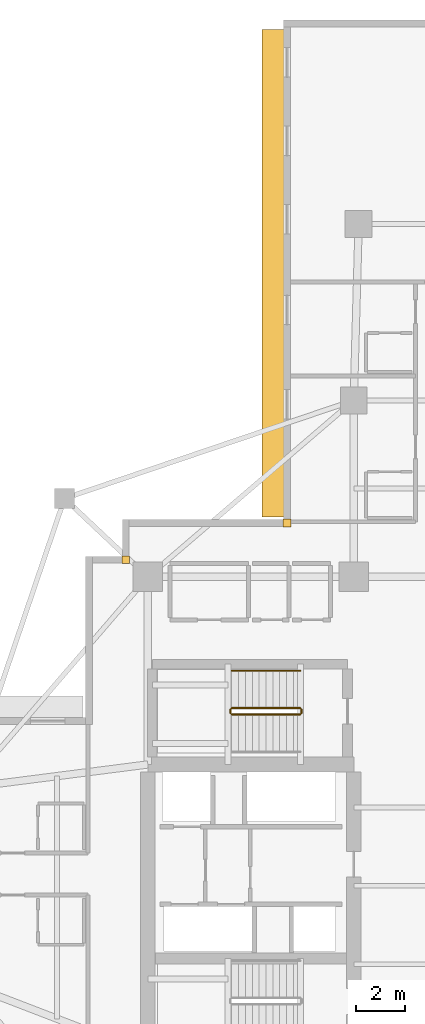
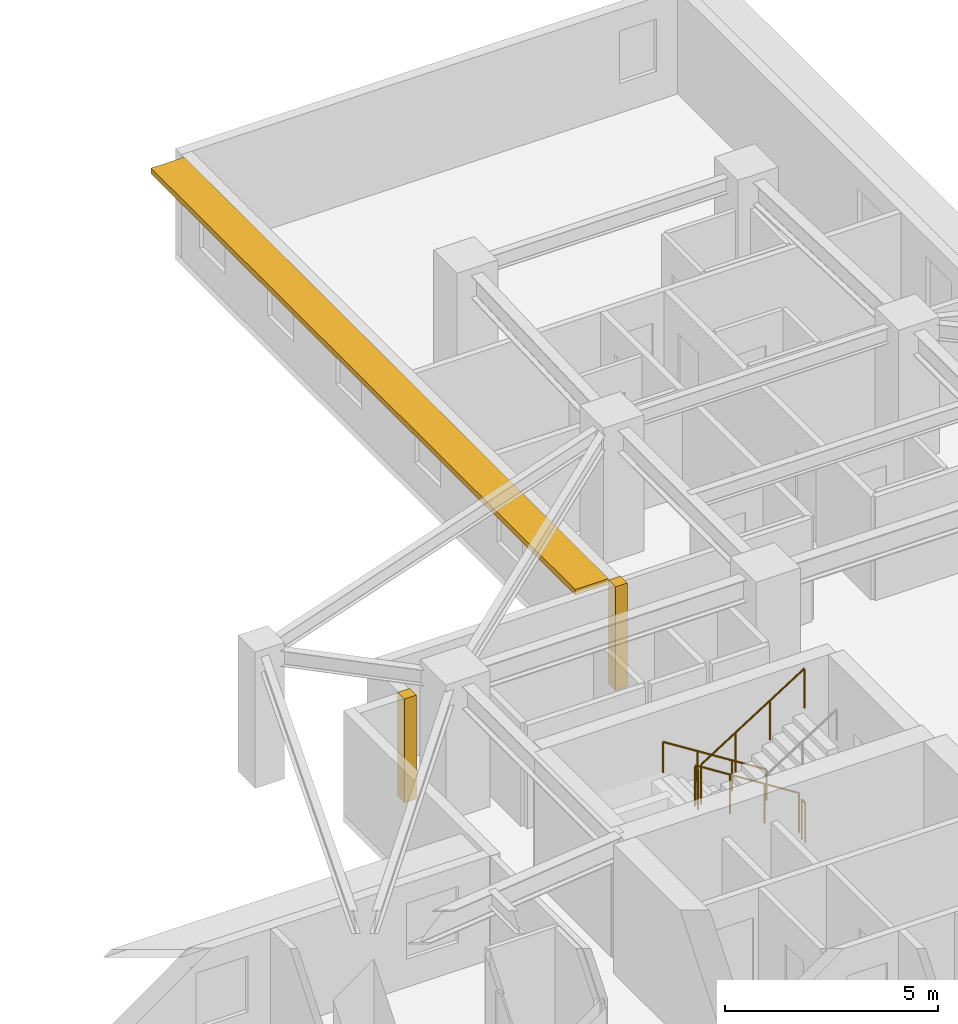
# One storey, part 12 of 13: 5 railings, 2 coverings, 1 shading device.
"""IFC4 building model written with IfcOpenShell, lengths in metres."""

from ifc_helpers import new_model, si_unit, direction, frame, origin, origin_2d, place, context, subcontext, project, spatial, rectangle, circle, extrude, material, layer, layer_set, type_object, element, save


model = new_model("IFC4")

# Units and contexts
model_context = context("Model", 3, precision=1e-05, world=origin(), true_north=direction((0.0, 1.0)))
body_context = subcontext(model_context, "Body", "Model", "MODEL_VIEW")
ifc_project = project(units=[si_unit("LENGTHUNIT", "METRE"), si_unit("AREAUNIT", "SQUARE_METRE"), si_unit("VOLUMEUNIT", "CUBIC_METRE"), si_unit("PLANEANGLEUNIT", "RADIAN"), si_unit("MASSUNIT", "GRAM", prefix="KILO")], contexts=[model_context])

# Site, building, storey
site_placement = place(None, origin())
site = spatial("IfcSite", under=ifc_project, at=site_placement, CompositionType="ELEMENT")
building_placement = place(site_placement, origin())
building = spatial("IfcBuilding", under=site, at=building_placement, Name="Qingluan Cross Belvedere", CompositionType="ELEMENT")
storey_placement = place(building_placement, frame((0.0, 0.0, 104.699951171875)))
storey = spatial("IfcBuildingStorey", under=building, at=storey_placement, Name="L26", CompositionType="ELEMENT", Elevation=104.699951171875)

# Coverings
ifc_material_1 = material(Name="Precast concrete C45", Category="concrete")
ifc_layer_1 = layer(ifc_material_1, 0.1201171875, Name="ConcreteSpandrelCladding_120")
ifc_layer_set_1 = layer_set([ifc_layer_1], Name="Precast concrete C45")
covering_type = type_object("IfcCoveringType", Name="ConcreteSpandrelCladding_120", PredefinedType="CLADDING", material=ifc_layer_set_1)
for number, where, z_axis, x_axis, name in (
    (1, (-13.300048828125, 13.300048828125, 0.0), (0.0, 0.0, 1.0), (1.0, 0.0, 0.0), "Corner closure L26-NW1"),
    (2, (-6.719970703125, 14.800048828125, 0.0), (0.0, 0.0, 1.0), (1.0, 0.0, 0.0), "Corner closure L26-NW2"),
):
    element("IfcCovering", number, at=place(storey_placement, frame(where, z_axis=z_axis, x_axis=x_axis)), inside=storey, type_object=covering_type, Name=name, PredefinedType="CLADDING", context=body_context, shape_type="SweptSolid", body=[
        extrude(rectangle(XDim=0.320068359375, YDim=0.320068359375, at=origin_2d()), origin(), (0.0, 0.0, 1.0), 2.969970703125),
    ])

# Shading device
ifc_material_2 = material(Name="Precast concrete C45", Category="concrete")
ifc_layer_2 = layer(ifc_material_2, 0.159912109375, Name="ConcreteSunshadeBand_900")
ifc_layer_set_2 = layer_set([ifc_layer_2], Name="Precast concrete C45")
shading_device_type = type_object("IfcShadingDeviceType", Name="ConcreteSunshadeBand_900", PredefinedType="USERDEFINED", material=ifc_layer_set_2)
shading_device_placement = place(storey_placement, frame((-7.2900390625, 24.989990234375, 2.7900390625), z_axis=(0.0, 0.0, 1.0), x_axis=(0.0, -1.0, 0.0)))
element("IfcShadingDevice", 3, at=shading_device_placement, inside=storey, type_object=shading_device_type, Name="Concrete SUNSHADE L26-NB", ObjectType="SUNSHADE", PredefinedType="USERDEFINED", context=body_context, shape_type="SweptSolid", body=[
    extrude(rectangle(XDim=19.89990234375, YDim=0.89990234375, at=origin_2d()), origin(), (0.0, 0.0, 1.0), 0.159912109375),
])

# Railings
ifc_material_3 = material(Name="Brushed stainless steel tubular handrail", Category="steel")
railing_type_1 = type_object("IfcRailingType", Name="StairPitchHandrail_900", PredefinedType="HANDRAIL", material=ifc_material_3)
railing_1_placement = place(storey_placement, frame((-6.179931640625, 8.77001953125, 0.17724609375)))
element("IfcRailing", 4, at=railing_1_placement, inside=storey, type_object=railing_type_1, Name="L26 ST3 stair handrail 1", PredefinedType="HANDRAIL", context=body_context, shape_type="SweptSolid", body=[
    extrude(circle(Radius=0.02392578125, at=origin_2d()), frame((0.0, 0.0, 0.8759765625), z_axis=(-0.844908973607, 0.0, 0.534910110503), x_axis=(0.0, -1.0, 0.0)), (0.0, 0.0, 1.0), 3.31396484375),
    extrude(circle(Radius=0.02099609375, at=origin_2d()), origin(), (0.0, 0.0, 1.0), 0.851806640625),
    extrude(circle(Radius=0.02099609375, at=origin_2d()), frame((-0.933349609375, 0.0, 0.5908203125)), (0.0, 0.0, 1.0), 0.851806640625),
    extrude(circle(Radius=0.02099609375, at=origin_2d()), frame((-1.86669921875, 0.0, 1.181884765625)), (0.0, 0.0, 1.0), 0.851806640625),
    extrude(circle(Radius=0.02099609375, at=origin_2d()), frame((-2.800048828125, 0.0, 1.772705078125)), (0.0, 0.0, 1.0), 0.851806640625),
])
ifc_material_4 = material(Name="Painted steel stair well guard", Category="steel")
railing_type_2 = type_object("IfcRailingType", Name="StairWellGuard_1150", PredefinedType="BALUSTRADE", material=ifc_material_4)
railing_2_placement = place(storey_placement, frame((-6.179931640625, 7.25, 0.17724609375)))
element("IfcRailing", 5, at=railing_2_placement, inside=storey, type_object=railing_type_2, Name="L26 ST3 stair guard 1", PredefinedType="BALUSTRADE", context=body_context, shape_type="SweptSolid", body=[
    extrude(circle(Radius=0.02392578125, at=origin_2d()), frame((0.0, 0.0, 1.1259765625), z_axis=(-0.844908973607, 0.0, 0.534910110503), x_axis=(0.0, -1.0, 0.0)), (0.0, 0.0, 1.0), 3.31396484375),
    extrude(circle(Radius=0.02099609375, at=origin_2d()), origin(), (0.0, 0.0, 1.0), 1.101806640625),
    extrude(circle(Radius=0.02099609375, at=origin_2d()), frame((-0.933349609375, 0.0, 0.5908203125)), (0.0, 0.0, 1.0), 1.101806640625),
    extrude(circle(Radius=0.02099609375, at=origin_2d()), frame((-1.86669921875, 0.0, 1.181884765625)), (0.0, 0.0, 1.0), 1.101806640625),
    extrude(circle(Radius=0.02099609375, at=origin_2d()), frame((-2.800048828125, 0.0, 1.772705078125)), (0.0, 0.0, 1.0), 1.101806640625),
])
railing_3_placement = place(storey_placement, frame((-9.030029296875, 7.199951171875, 1.949951171875)))
element("IfcRailing", 6, at=railing_3_placement, inside=storey, type_object=railing_type_2, Name="L26 ST3 stair guard 2", PredefinedType="BALUSTRADE", context=body_context, shape_type="SweptSolid", body=[
    extrude(circle(Radius=0.02392578125, at=origin_2d()), frame((0.0, 0.0, 1.1259765625), z_axis=(0.0, -1.0, 0.0), x_axis=(1.0, 0.0, 0.0)), (0.0, 0.0, 1.0), 0.159912109375),
    extrude(circle(Radius=0.02099609375, at=origin_2d()), origin(), (0.0, 0.0, 1.0), 1.101806640625),
    extrude(circle(Radius=0.02099609375, at=origin_2d()), frame((0.0, -0.159912109375, 0.0)), (0.0, 0.0, 1.0), 1.101806640625),
])
railing_4_placement = place(storey_placement, frame((-8.97998046875, 6.989990234375, 2.12744140625)))
element("IfcRailing", 7, at=railing_4_placement, inside=storey, type_object=railing_type_2, Name="L26 ST3 stair guard 3", PredefinedType="BALUSTRADE", context=body_context, shape_type="SweptSolid", body=[
    extrude(circle(Radius=0.02392578125, at=origin_2d()), frame((0.0, 0.0, 1.1259765625), z_axis=(0.844908973607, 0.0, 0.534910110503), x_axis=(0.0, 1.0, 0.0)), (0.0, 0.0, 1.0), 3.31396484375),
    extrude(circle(Radius=0.02099609375, at=origin_2d()), origin(), (0.0, 0.0, 1.0), 1.101806640625),
    extrude(circle(Radius=0.02099609375, at=origin_2d()), frame((0.933349609375, 0.0, 0.5908203125)), (0.0, 0.0, 1.0), 1.101806640625),
    extrude(circle(Radius=0.02099609375, at=origin_2d()), frame((1.86669921875, 0.0, 1.181884765625)), (0.0, 0.0, 1.0), 1.101806640625),
    extrude(circle(Radius=0.02099609375, at=origin_2d()), frame((2.800048828125, 0.0, 1.772705078125)), (0.0, 0.0, 1.0), 1.101806640625),
])
railing_5_placement = place(storey_placement, frame((-6.1298828125, 7.199951171875, 0.0)))
element("IfcRailing", 8, at=railing_5_placement, inside=storey, type_object=railing_type_2, Name="L26 ST3 stair guard 4", PredefinedType="BALUSTRADE", context=body_context, shape_type="SweptSolid", body=[
    extrude(circle(Radius=0.02392578125, at=origin_2d()), frame((0.0, 0.0, 1.1259765625), z_axis=(0.0, -1.0, 0.0), x_axis=(1.0, 0.0, 0.0)), (0.0, 0.0, 1.0), 0.159912109375),
    extrude(circle(Radius=0.02099609375, at=origin_2d()), origin(), (0.0, 0.0, 1.0), 1.101806640625),
    extrude(circle(Radius=0.02099609375, at=origin_2d()), frame((0.0, -0.159912109375, 0.0)), (0.0, 0.0, 1.0), 1.101806640625),
])

save(model, "model.ifc")
